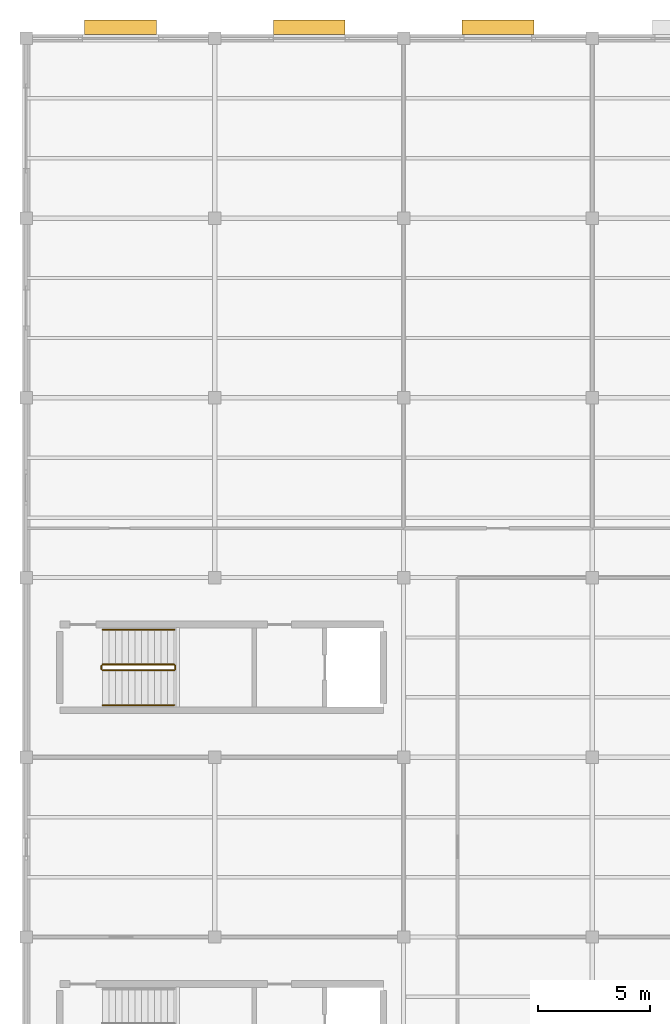
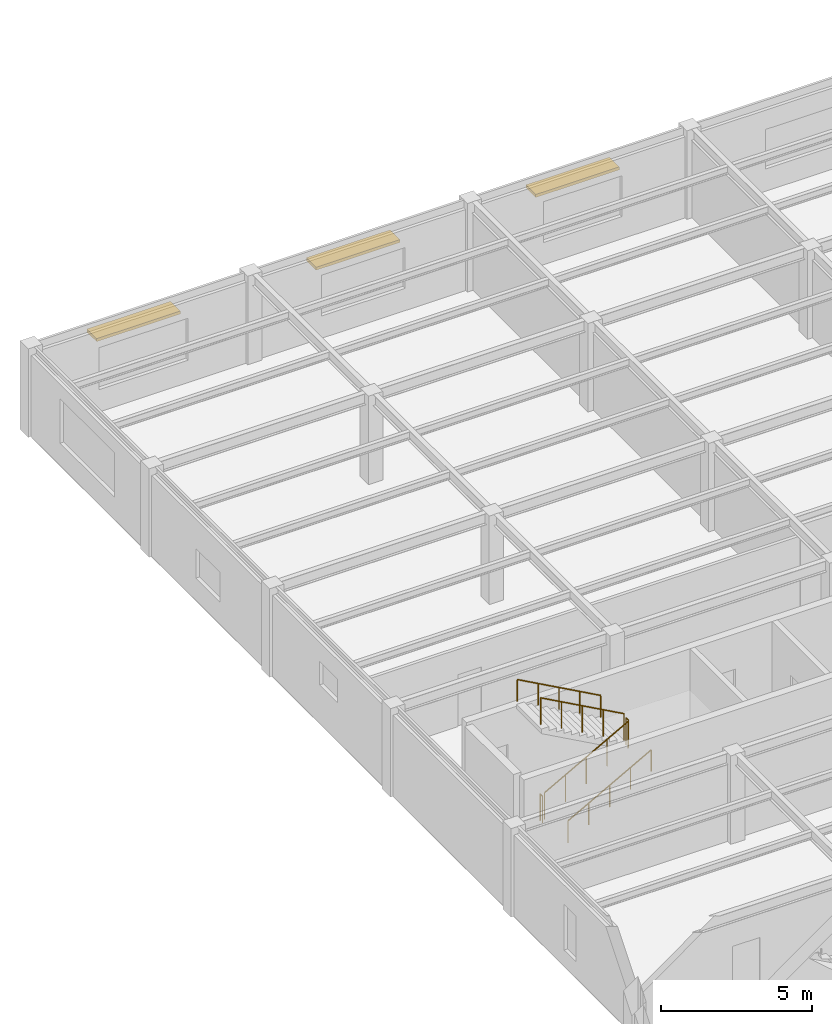
# One storey, part 52 of 53: 6 railings, 3 shading devices.
"""IFC4 building model written with IfcOpenShell, lengths in metres."""

from ifc_helpers import new_model, si_unit, direction, frame, origin, origin_2d, place, context, subcontext, project, spatial, rectangle, circle, extrude, material, type_object, element, save


model = new_model("IFC4")

# Units and contexts
model_context = context("Model", 3, precision=1e-05, world=origin(), true_north=direction((0.0, 1.0)))
body_context = subcontext(model_context, "Body", "Model", "MODEL_VIEW")
ifc_project = project(units=[si_unit("LENGTHUNIT", "METRE"), si_unit("AREAUNIT", "SQUARE_METRE"), si_unit("VOLUMEUNIT", "CUBIC_METRE"), si_unit("PLANEANGLEUNIT", "RADIAN"), si_unit("MASSUNIT", "GRAM", prefix="KILO")], contexts=[model_context])

# Site, building, storey
site_placement = place(None, origin())
site = spatial("IfcSite", under=ifc_project, at=site_placement, CompositionType="ELEMENT")
building_placement = place(site_placement, origin())
building = spatial("IfcBuilding", under=site, at=building_placement, Name="Kranzveld Transit Interchange", CompositionType="ELEMENT")
storey_placement = place(building_placement, frame((0.0, 0.0, 13.360107421875)))
storey = spatial("IfcBuildingStorey", under=building, at=storey_placement, Name="L03", CompositionType="ELEMENT", Elevation=13.360107421875)

# Shading devices
ifc_material_1 = material(Name="Bronze-anodised thermally broken aluminium", Category="aluminium")
shading_device_type = type_object("IfcShadingDeviceType", Name="North Overhang Solar Louvre Brise-Soleil", PredefinedType="JALOUSIE", material=ifc_material_1)
for number, where, z_axis, x_axis, name in (
    (1, (4.199951171875, 112.4951171875, 2.599853515625), (0.0, 0.0, 1.0), (1.0, 0.0, 0.0), "L03 North Solar Louvre 01/Q"),
    (2, (12.60009765625, 112.4951171875, 2.5498046875), (0.0, 0.0, 1.0), (1.0, 0.0, 0.0), "L03 North Solar Louvre 02/Q"),
    (3, (21.0, 112.4951171875, 2.5498046875), (0.0, 0.0, 1.0), (1.0, 0.0, 0.0), "L03 North Solar Louvre 03/Q"),
):
    element("IfcShadingDevice", number, at=place(storey_placement, frame(where, z_axis=z_axis, x_axis=x_axis)), inside=storey, type_object=shading_device_type, Name=name, PredefinedType="JALOUSIE", context=body_context, shape_type="SweptSolid", body=[
        extrude(rectangle(XDim=3.199951171875, YDim=0.64990234375, at=origin_2d()), origin(), (0.0, 0.0, 1.0), 0.1201171875),
    ])

# Railings
ifc_material_2 = material(Name="Steel S355JR", Category="steel")
railing_type_1 = type_object("IfcRailingType", Name="Stair & Ramp Handrail Steel 900", PredefinedType="HANDRAIL", material=ifc_material_2)
railing_1_placement = place(storey_placement, frame((3.39990234375, 82.320068359375, 0.159912109375)))
element("IfcRailing", 4, at=railing_1_placement, inside=storey, type_object=railing_type_1, Name="L03 ST-C2 stair handrail 1", PredefinedType="HANDRAIL", context=body_context, shape_type="SweptSolid", body=[
    extrude(circle(Radius=0.02392578125, at=origin_2d()), frame((0.0, 0.0, 0.8759765625), z_axis=(0.875588434347, 0.0, 0.483057857443), x_axis=(0.0, 1.0, 0.0)), (0.0, 0.0, 1.0), 3.6435546875),
    extrude(circle(Radius=0.02099609375, at=origin_2d()), origin(), (0.0, 0.0, 1.0), 0.849853515625),
    extrude(circle(Radius=0.02099609375, at=origin_2d()), frame((0.797607421875, 0.0, 0.43994140625)), (0.0, 0.0, 1.0), 0.849853515625),
    extrude(circle(Radius=0.02099609375, at=origin_2d()), frame((1.59521484375, 0.0, 0.8798828125)), (0.0, 0.0, 1.0), 0.849853515625),
    extrude(circle(Radius=0.02099609375, at=origin_2d()), frame((2.392578125, 0.0, 1.320068359375)), (0.0, 0.0, 1.0), 0.849853515625),
    extrude(circle(Radius=0.02099609375, at=origin_2d()), frame((3.190185546875, 0.0, 1.760009765625)), (0.0, 0.0, 1.0), 0.849853515625),
])
railing_2_placement = place(storey_placement, frame((6.590087890625, 85.679931640625, 2.079833984375)))
element("IfcRailing", 5, at=railing_2_placement, inside=storey, type_object=railing_type_1, Name="L03 ST-C2 stair handrail 2", PredefinedType="HANDRAIL", context=body_context, shape_type="SweptSolid", body=[
    extrude(circle(Radius=0.02392578125, at=origin_2d()), frame((0.0, 0.0, 0.8759765625), z_axis=(-0.875588434347, 0.0, 0.483057857443), x_axis=(0.0, -1.0, 0.0)), (0.0, 0.0, 1.0), 3.6435546875),
    extrude(circle(Radius=0.02099609375, at=origin_2d()), origin(), (0.0, 0.0, 1.0), 0.849853515625),
    extrude(circle(Radius=0.02099609375, at=origin_2d()), frame((-0.797607421875, 0.0, 0.43994140625)), (0.0, 0.0, 1.0), 0.849853515625),
    extrude(circle(Radius=0.02099609375, at=origin_2d()), frame((-1.59521484375, 0.0, 0.8798828125)), (0.0, 0.0, 1.0), 0.849853515625),
    extrude(circle(Radius=0.02099609375, at=origin_2d()), frame((-2.392578125, 0.0, 1.320068359375)), (0.0, 0.0, 1.0), 0.849853515625),
    extrude(circle(Radius=0.02099609375, at=origin_2d()), frame((-3.190185546875, 0.0, 1.760009765625)), (0.0, 0.0, 1.0), 0.849853515625),
])
ifc_material_3 = material(Name="Steel S355JR", Category="steel")
railing_type_2 = type_object("IfcRailingType", Name="Stair Well Guardrail Steel 1100", PredefinedType="GUARDRAIL", material=ifc_material_3)
railing_3_placement = place(storey_placement, frame((3.39990234375, 83.8701171875, 0.159912109375)))
element("IfcRailing", 6, at=railing_3_placement, inside=storey, type_object=railing_type_2, Name="L03 ST-C2 stair guard 1", PredefinedType="GUARDRAIL", context=body_context, shape_type="SweptSolid", body=[
    extrude(circle(Radius=0.02392578125, at=origin_2d()), frame((0.0, 0.0, 1.076171875), z_axis=(0.875588434347, 0.0, 0.483057857443), x_axis=(0.0, 1.0, 0.0)), (0.0, 0.0, 1.0), 3.6435546875),
    extrude(circle(Radius=0.02099609375, at=origin_2d()), origin(), (0.0, 0.0, 1.0), 1.050048828125),
    extrude(circle(Radius=0.02099609375, at=origin_2d()), frame((0.797607421875, 0.0, 0.43994140625)), (0.0, 0.0, 1.0), 1.050048828125),
    extrude(circle(Radius=0.02099609375, at=origin_2d()), frame((1.59521484375, 0.0, 0.8798828125)), (0.0, 0.0, 1.0), 1.050048828125),
    extrude(circle(Radius=0.02099609375, at=origin_2d()), frame((2.392578125, 0.0, 1.320068359375)), (0.0, 0.0, 1.0), 1.050048828125),
    extrude(circle(Radius=0.02099609375, at=origin_2d()), frame((3.190185546875, 0.0, 1.760009765625)), (0.0, 0.0, 1.0), 1.050048828125),
])
railing_4_placement = place(storey_placement, frame((6.639892578125, 83.919921875, 1.919921875)))
element("IfcRailing", 7, at=railing_4_placement, inside=storey, type_object=railing_type_2, Name="L03 ST-C2 stair guard 2", PredefinedType="GUARDRAIL", context=body_context, shape_type="SweptSolid", body=[
    extrude(circle(Radius=0.02392578125, at=origin_2d()), frame((0.0, 0.0, 1.076171875), z_axis=(0.0, 1.0, 0.0), x_axis=(-1.0, 0.0, 0.0)), (0.0, 0.0, 1.0), 0.16015625),
    extrude(circle(Radius=0.02099609375, at=origin_2d()), origin(), (0.0, 0.0, 1.0), 1.050048828125),
    extrude(circle(Radius=0.02099609375, at=origin_2d()), frame((0.0, 0.16015625, 0.0)), (0.0, 0.0, 1.0), 1.050048828125),
])
railing_5_placement = place(storey_placement, frame((6.590087890625, 84.1298828125, 2.079833984375)))
element("IfcRailing", 8, at=railing_5_placement, inside=storey, type_object=railing_type_2, Name="L03 ST-C2 stair guard 3", PredefinedType="GUARDRAIL", context=body_context, shape_type="SweptSolid", body=[
    extrude(circle(Radius=0.02392578125, at=origin_2d()), frame((0.0, 0.0, 1.076171875), z_axis=(-0.875588434347, 0.0, 0.483057857443), x_axis=(0.0, -1.0, 0.0)), (0.0, 0.0, 1.0), 3.6435546875),
    extrude(circle(Radius=0.02099609375, at=origin_2d()), origin(), (0.0, 0.0, 1.0), 1.050048828125),
    extrude(circle(Radius=0.02099609375, at=origin_2d()), frame((-0.797607421875, 0.0, 0.43994140625)), (0.0, 0.0, 1.0), 1.050048828125),
    extrude(circle(Radius=0.02099609375, at=origin_2d()), frame((-1.59521484375, 0.0, 0.8798828125)), (0.0, 0.0, 1.0), 1.050048828125),
    extrude(circle(Radius=0.02099609375, at=origin_2d()), frame((-2.392578125, 0.0, 1.320068359375)), (0.0, 0.0, 1.0), 1.050048828125),
    extrude(circle(Radius=0.02099609375, at=origin_2d()), frame((-3.190185546875, 0.0, 1.760009765625)), (0.0, 0.0, 1.0), 1.050048828125),
])
railing_6_placement = place(storey_placement, frame((3.35009765625, 83.919921875, 0.0)))
element("IfcRailing", 9, at=railing_6_placement, inside=storey, type_object=railing_type_2, Name="L03 ST-C2 stair guard 4", PredefinedType="GUARDRAIL", context=body_context, shape_type="SweptSolid", body=[
    extrude(circle(Radius=0.02392578125, at=origin_2d()), frame((0.0, 0.0, 1.076171875), z_axis=(0.0, 1.0, 0.0), x_axis=(-1.0, 0.0, 0.0)), (0.0, 0.0, 1.0), 0.16015625),
    extrude(circle(Radius=0.02099609375, at=origin_2d()), origin(), (0.0, 0.0, 1.0), 1.050048828125),
    extrude(circle(Radius=0.02099609375, at=origin_2d()), frame((0.0, 0.16015625, 0.0)), (0.0, 0.0, 1.0), 1.050048828125),
])

save(model, "model.ifc")
